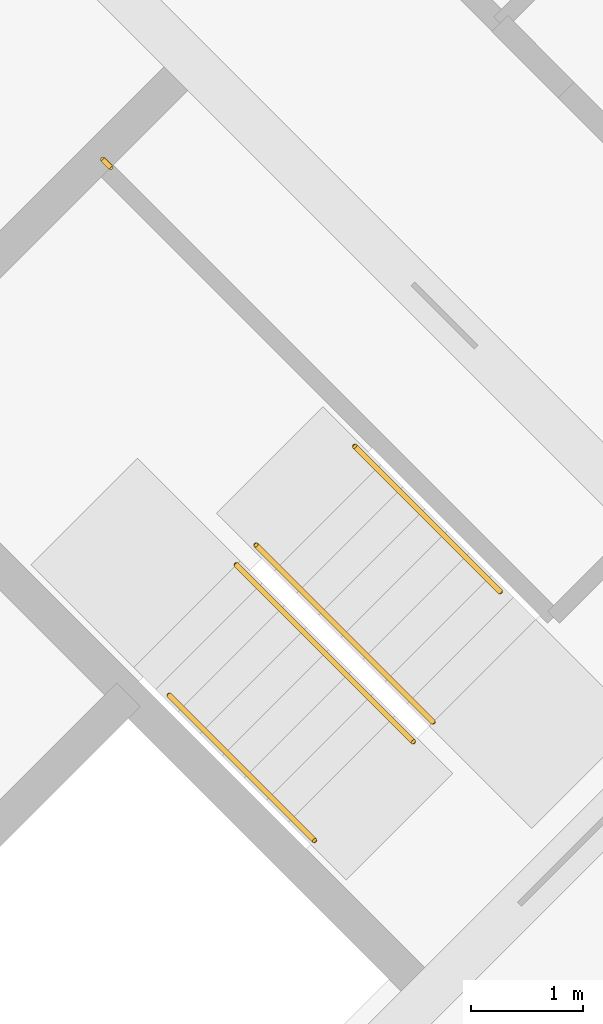
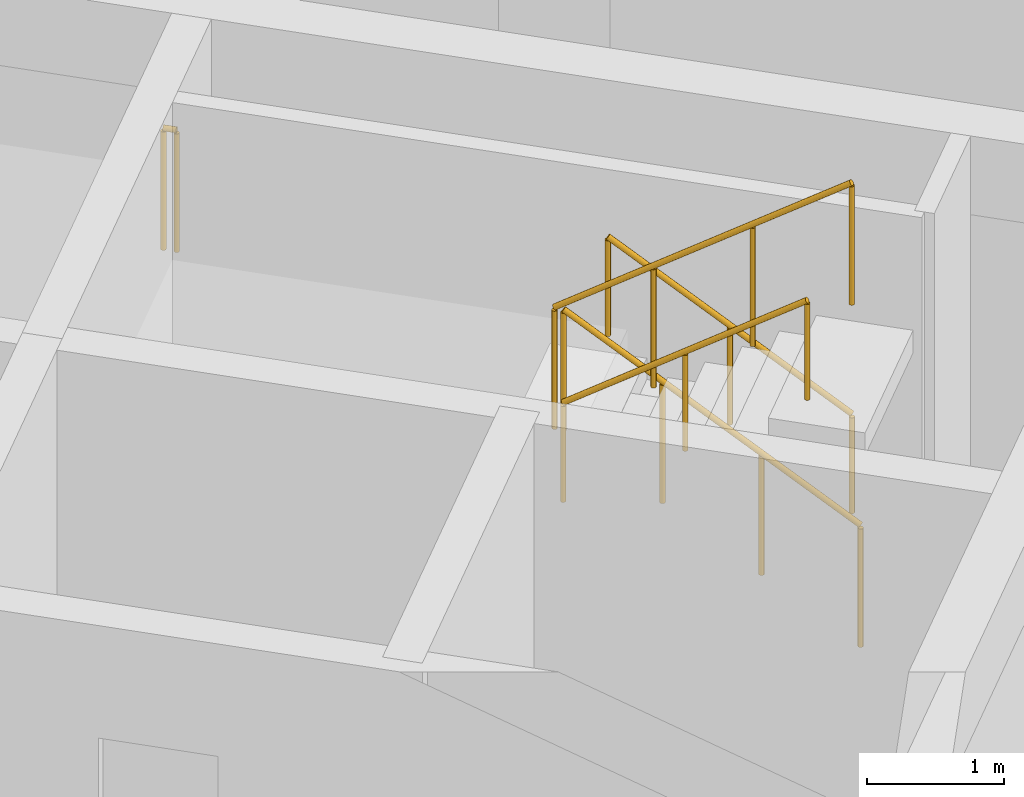
# One storey, part 13 of 13: 5 railings.
"""IFC4 building model written with IfcOpenShell, lengths in metres."""

from ifc_helpers import new_model, si_unit, direction, frame, origin, origin_2d, place, context, subcontext, project, spatial, circle, extrude, material, type_object, element, save


model = new_model("IFC4")

# Units and contexts
model_context = context("Model", 3, precision=1e-05, world=origin(), true_north=direction((0.0, 1.0)))
body_context = subcontext(model_context, "Body", "Model", "MODEL_VIEW")
ifc_project = project(units=[si_unit("LENGTHUNIT", "METRE"), si_unit("AREAUNIT", "SQUARE_METRE"), si_unit("VOLUMEUNIT", "CUBIC_METRE"), si_unit("PLANEANGLEUNIT", "RADIAN"), si_unit("MASSUNIT", "GRAM", prefix="KILO")], contexts=[model_context])

# Site, building, storey
site_placement = place(None, origin())
site = spatial("IfcSite", under=ifc_project, at=site_placement, CompositionType="ELEMENT")
building_placement = place(site_placement, origin())
building = spatial("IfcBuilding", under=site, at=building_placement, Name="Windrow Commons", CompositionType="ELEMENT")
storey_placement = place(building_placement, frame((0.0, 0.0, 243.8)))
storey = spatial("IfcBuildingStorey", under=building, at=storey_placement, Name="L66", CompositionType="ELEMENT", Elevation=243.8)

# Railings
ifc_material_1 = material(Name="Steel S355", Category="steel")
railing_type_1 = type_object("IfcRailingType", Name="Core stair guard 1100", PredefinedType="GUARDRAIL", material=ifc_material_1)
railing_1_placement = place(storey_placement, frame((94.2296, 48.4215, 0.1889)))
element("IfcRailing", 1, at=railing_1_placement, inside=storey, type_object=railing_type_1, Name="L66 ST-B2 stair guard 1", PredefinedType="GUARDRAIL", context=body_context, shape_type="SweptSolid", body=[
    extrude(circle(Radius=0.024, at=origin_2d()), frame((0.0, 0.0, 1.076), z_axis=(-0.5862157828, 0.5861787742, 0.5592365337), x_axis=(-0.7070844598, -0.7071291018, 0.0)), (0.0, 0.0, 1.0), 2.7021),
    extrude(circle(Radius=0.021, at=origin_2d()), origin(), (0.0, 0.0, 1.0), 1.052),
    extrude(circle(Radius=0.021, at=origin_2d()), frame((-0.528, 0.528, 0.5037)), (0.0, 0.0, 1.0), 1.052),
    extrude(circle(Radius=0.021, at=origin_2d()), frame((-1.056, 1.0559, 1.0074)), (0.0, 0.0, 1.0), 1.052),
    extrude(circle(Radius=0.021, at=origin_2d()), frame((-1.584, 1.5839, 1.5111)), (0.0, 0.0, 1.0), 1.052),
])
railing_2_placement = place(storey_placement, frame((92.4689, 49.8287, 1.8889)))
element("IfcRailing", 2, at=railing_2_placement, inside=storey, type_object=railing_type_1, Name="L66 ST-B2 stair guard 2", PredefinedType="GUARDRAIL", context=body_context, shape_type="SweptSolid", body=[
    extrude(circle(Radius=0.024, at=origin_2d()), frame((0.0, 0.0, 1.076), z_axis=(0.5861787742, -0.5862157828, 0.5592365337), x_axis=(0.7071291018, 0.7070844598, 0.0)), (0.0, 0.0, 1.0), 2.7021),
    extrude(circle(Radius=0.021, at=origin_2d()), origin(), (0.0, 0.0, 1.0), 1.052),
    extrude(circle(Radius=0.021, at=origin_2d()), frame((0.528, -0.528, 0.5037)), (0.0, 0.0, 1.0), 1.052),
    extrude(circle(Radius=0.021, at=origin_2d()), frame((1.0559, -1.056, 1.0074)), (0.0, 0.0, 1.0), 1.052),
    extrude(circle(Radius=0.021, at=origin_2d()), frame((1.5839, -1.584, 1.5111)), (0.0, 0.0, 1.0), 1.052),
])
railing_3_placement = place(storey_placement, frame((91.3446, 53.3854, 1.7)))
element("IfcRailing", 3, at=railing_3_placement, inside=storey, type_object=railing_type_1, Name="L66 ST-B2 stair guard 3", PredefinedType="GUARDRAIL", context=body_context, shape_type="SweptSolid", body=[
    extrude(circle(Radius=0.024, at=origin_2d()), frame((0.0, 0.0, 1.076), z_axis=(-0.7076063266, 0.7066068826, 0.0), x_axis=(-0.7066068826, -0.7076063266, 0.0)), (0.0, 0.0, 1.0), 0.1001),
    extrude(circle(Radius=0.021, at=origin_2d()), origin(), (0.0, 0.0, 1.0), 1.052),
    extrude(circle(Radius=0.021, at=origin_2d()), frame((-0.0708, 0.0707, 0.0)), (0.0, 0.0, 1.0), 1.052),
])
ifc_material_2 = material(Name="Steel S355", Category="steel")
railing_type_2 = type_object("IfcRailingType", Name="Core stair handrail 900", PredefinedType="HANDRAIL", material=ifc_material_2)
railing_4_placement = place(storey_placement, frame((94.8306, 49.5883, 0.4587)))
element("IfcRailing", 4, at=railing_4_placement, inside=storey, type_object=railing_type_2, Name="L66 ST-B2 stair handrail 1", PredefinedType="HANDRAIL", context=body_context, shape_type="SweptSolid", body=[
    extrude(circle(Radius=0.024, at=origin_2d()), frame((0.0, 0.0, 0.876), z_axis=(-0.586206706, 0.5861616513, 0.5592639952), x_axis=(-0.7070796062, -0.7071339551, 0.0)), (0.0, 0.0, 1.0), 2.2195),
    extrude(circle(Radius=0.021, at=origin_2d()), origin(), (0.0, 0.0, 1.0), 0.852),
    extrude(circle(Radius=0.021, at=origin_2d()), frame((-0.6506, 0.6505, 0.6206)), (0.0, 0.0, 1.0), 0.852),
    extrude(circle(Radius=0.021, at=origin_2d()), frame((-1.3011, 1.301, 1.2413)), (0.0, 0.0, 1.0), 0.852),
])
railing_5_placement = place(storey_placement, frame((91.8678, 48.6619, 2.1587)))
element("IfcRailing", 5, at=railing_5_placement, inside=storey, type_object=railing_type_2, Name="L66 ST-B2 stair handrail 2", PredefinedType="HANDRAIL", context=body_context, shape_type="SweptSolid", body=[
    extrude(circle(Radius=0.024, at=origin_2d()), frame((0.0, 0.0, 0.876), z_axis=(0.586206706, -0.5861616513, 0.5592639952), x_axis=(0.7070796062, 0.7071339551, 0.0)), (0.0, 0.0, 1.0), 2.2195),
    extrude(circle(Radius=0.021, at=origin_2d()), origin(), (0.0, 0.0, 1.0), 0.852),
    extrude(circle(Radius=0.021, at=origin_2d()), frame((0.6505, -0.6505, 0.6206)), (0.0, 0.0, 1.0), 0.852),
    extrude(circle(Radius=0.021, at=origin_2d()), frame((1.3011, -1.301, 1.2413)), (0.0, 0.0, 1.0), 0.852),
])

save(model, "model.ifc")
